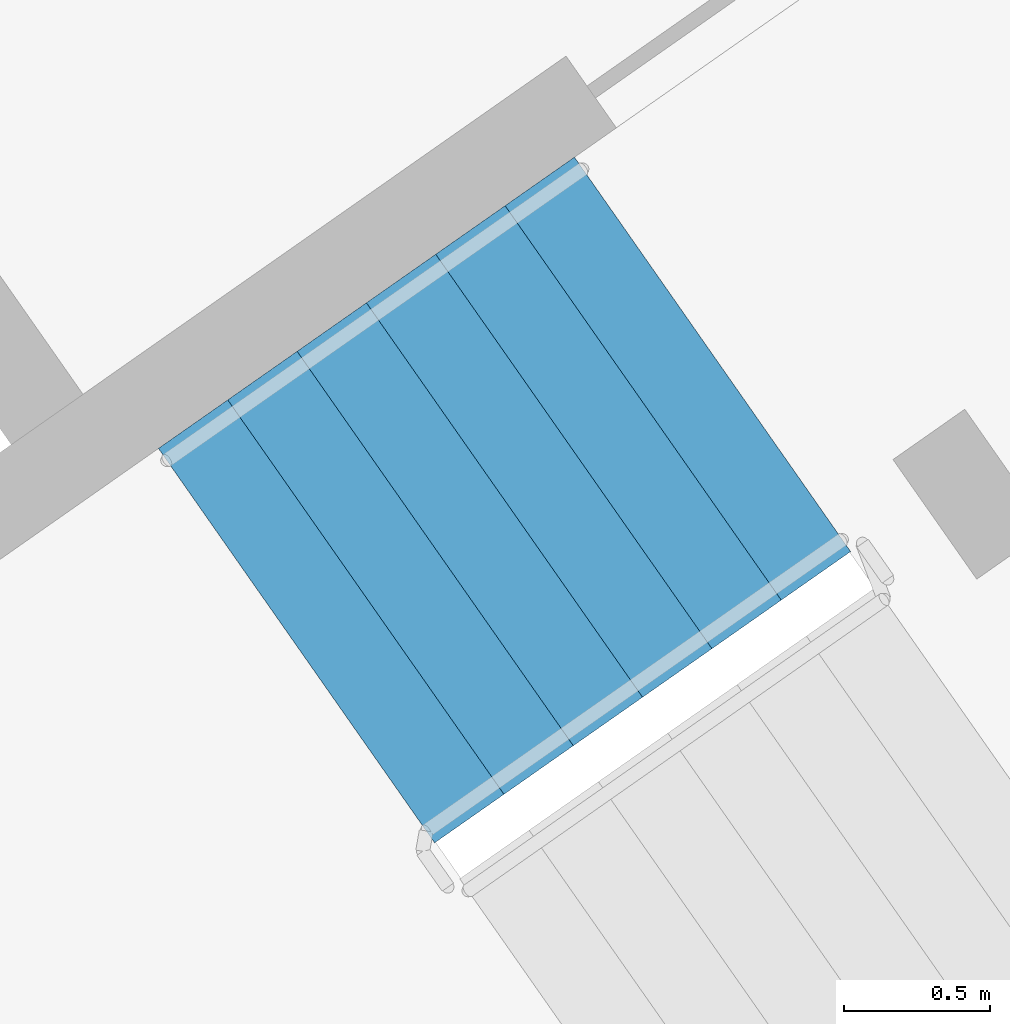
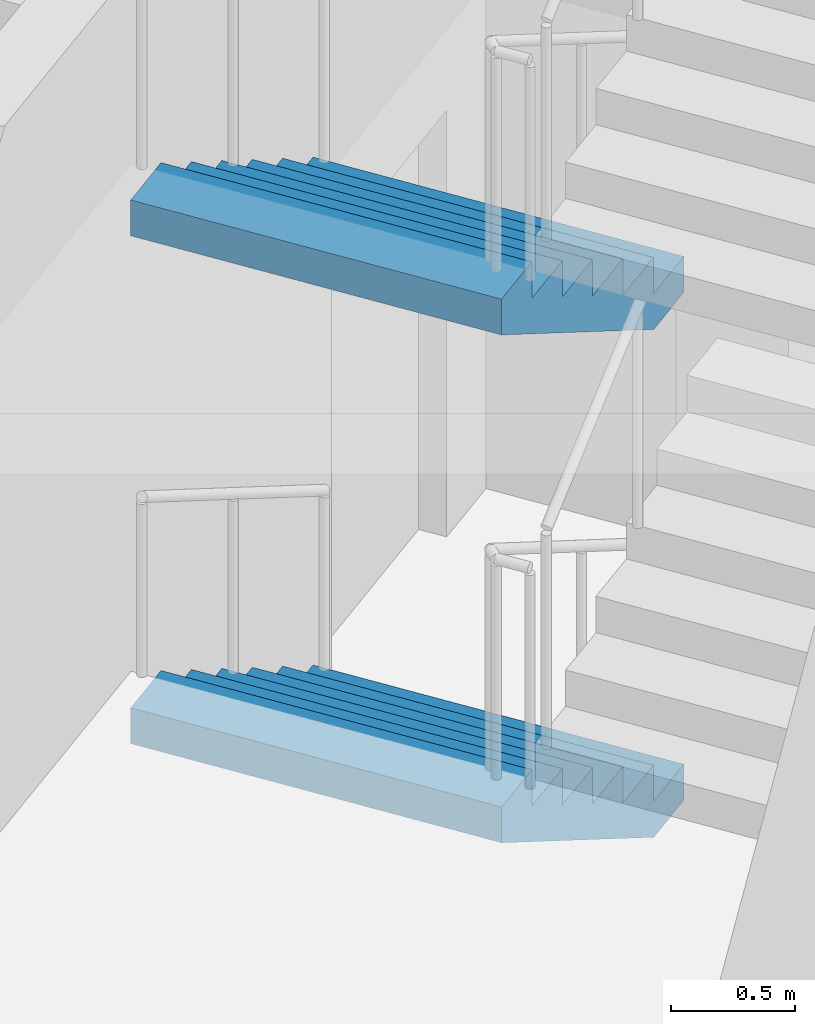
# One storey, part 20 of 24: 2 stair flights, 1 element without a shape of its own.
"""IFC4 building model written with IfcOpenShell, lengths in metres."""

import ifcopenshell
import ifcopenshell.guid

model = None  # the IFC model being written
_history = None  # IfcOwnerHistory: only IFC2X3 demands one
_inside = {}  # id of a spatial element -> (the spatial element, [elements in it])
_under = {}  # id of a project, library or spatial element -> (it, [spatial elements below it])
_declared = {}  # id of a project -> (the project, [libraries it declares])
_typed = {}  # id of a type object -> (the type object, [elements of that type])
_made_of = {}  # id of a material, layer set ... -> (it, [elements and type objects made of it])


def new_model(schema):
    """Start an empty IFC model of exactly this schema.

    Asked for "IFC4X3", IfcOpenShell would pick the latest addendum, in which some entities
    have other attributes; the version numbers below select the first issue.
    IFC2X3 requires an IfcOwnerHistory on every rooted entity: one is made here for all.
    """
    global model, _history
    if schema == "IFC4X3":
        model = ifcopenshell.file(schema_version=(4, 3, 0, 0))
    else:
        model = ifcopenshell.file(schema=schema)
    _inside.clear()
    _under.clear()
    _declared.clear()
    _typed.clear()
    _made_of.clear()
    _history = None
    if model.schema == "IFC2X3":
        org = make("IfcOrganization", Name="unknown")
        user = make(
            "IfcPersonAndOrganization",
            ThePerson=make("IfcPerson", FamilyName="unknown"),
            TheOrganization=org,
        )
        app = make(
            "IfcApplication",
            ApplicationDeveloper=org,
            Version="unknown",
            ApplicationFullName="unknown",
            ApplicationIdentifier="unknown",
        )
        _history = make(
            "IfcOwnerHistory",
            OwningUser=user,
            OwningApplication=app,
            ChangeAction="ADDED",
            CreationDate=0,
        )
    return model


def make(cls, **values):
    """One entity of the class cls with the attributes given. An attribute that is None is left unset."""
    return model.create_entity(
        cls, **{name: value for name, value in values.items() if value is not None}
    )


def rooted(cls, **values):
    """An entity with a GlobalId (a new one), such as an element, a storey or a relation."""
    return make(cls, GlobalId=ifcopenshell.guid.new(), OwnerHistory=_history, **values)


def si_unit(unit_type, name, prefix=None):
    """IfcSIUnit, for example si_unit("LENGTHUNIT", "METRE", prefix="MILLI")."""
    return make("IfcSIUnit", UnitType=unit_type, Prefix=prefix, Name=name)


def assignment(units):
    """IfcUnitAssignment: the units of a project."""
    return None if units is None else make("IfcUnitAssignment", Units=units)


def point(xyz):
    """IfcCartesianPoint."""
    return None if xyz is None else make("IfcCartesianPoint", Coordinates=xyz)


def direction(xyz):
    """IfcDirection."""
    return None if xyz is None else make("IfcDirection", DirectionRatios=xyz)


def frame(location, z_axis=None, x_axis=None):
    """IfcAxis2Placement3D, a coordinate frame: its origin and axes. An axis left out is left unset."""
    return make(
        "IfcAxis2Placement3D",
        Location=point(location),
        Axis=direction(z_axis),
        RefDirection=direction(x_axis),
    )


def origin():
    """The frame at (0, 0, 0) with its axes left unset."""
    return frame((0.0, 0.0, 0.0))


def place(relative_to, where):
    """IfcLocalPlacement: puts the frame where relative to a parent placement (None: the world)."""
    return make(
        "IfcLocalPlacement", PlacementRelTo=relative_to, RelativePlacement=where
    )


def context(
    kind, dimensions, precision=None, world=None, true_north=None, identifier=None
):
    """IfcGeometricRepresentationContext, for example the 3D "Model" context."""
    return make(
        "IfcGeometricRepresentationContext",
        ContextIdentifier=identifier,
        ContextType=kind,
        CoordinateSpaceDimension=dimensions,
        Precision=precision,
        WorldCoordinateSystem=world,
        TrueNorth=true_north,
    )


def subcontext(parent, identifier, kind, view, scale=None):
    """IfcGeometricRepresentationSubContext, for example "Body" below "Model"."""
    return make(
        "IfcGeometricRepresentationSubContext",
        ContextIdentifier=identifier,
        ContextType=kind,
        ParentContext=parent,
        TargetScale=scale,
        TargetView=view,
    )


def project(units=None, contexts=None):
    """IfcProject with its units and contexts."""
    return rooted(
        "IfcProject",
        Name="project",
        RepresentationContexts=contexts,
        UnitsInContext=assignment(units),
    )


def spatial(cls, under=None, at=None, **own):
    """A site, building, storey or space (cls), placed at a placement, below another one or the project."""
    s = rooted(cls, ObjectPlacement=at, **own)
    if under is not None:
        _under.setdefault(under.id(), (under, []))[1].append(s)
    return s


def faces_of(points, faces, orient=None, outer=None):
    """IfcFace entities. A face is a list of loops; a loop is a list of indices into points, from 0.

    orient and outer hold one flag for each loop. By default every Orientation is true, the
    first loop of a face is its IfcFaceOuterBound and the others are IfcFaceBound.
    """
    made = []
    for i, loops in enumerate(faces):
        bounds = []
        for j, loop in enumerate(loops):
            is_outer = j == 0 if outer is None else outer[i][j]
            bounds.append(
                make(
                    "IfcFaceOuterBound" if is_outer else "IfcFaceBound",
                    Bound=make("IfcPolyLoop", Polygon=[points[k] for k in loop]),
                    Orientation=True if orient is None else orient[i][j],
                )
            )
        made.append(make("IfcFace", Bounds=bounds))
    return made


def faceted_brep(points, faces, orient=None, outer=None, voids=None):
    """IfcFacetedBrep: a solid bounded by flat faces; with voids (closed shells), ...WithVoids."""
    shared = [point(p) for p in points]
    hull = make("IfcClosedShell", CfsFaces=faces_of(shared, faces, orient, outer))
    if voids is None:
        return make("IfcFacetedBrep", Outer=hull)
    return make(
        "IfcFacetedBrepWithVoids",
        Outer=hull,
        Voids=[
            make(cls, CfsFaces=faces_of(shared, fs, o, b)) for cls, fs, o, b in voids
        ],
    )


def shape(context_of_items, identifier, shape_type, items):
    """IfcShapeRepresentation: the items that make up one representation, for example the "Body"."""
    return make(
        "IfcShapeRepresentation",
        ContextOfItems=context_of_items,
        RepresentationIdentifier=identifier,
        RepresentationType=shape_type,
        Items=items,
    )


def material(Name=None, Category=None):
    """IfcMaterial."""
    return make("IfcMaterial", Name=Name, Category=Category)


def made_of(thing, what):
    """Note that an element or type object is made of a material, layer set ...; save() writes the relation."""
    if what is not None:
        _made_of.setdefault(what.id(), (what, []))[1].append(thing)
    return thing


def type_object(cls, material=None, **own):
    """A type object (cls), such as IfcWallType, which elements share."""
    return made_of(rooted(cls, **own), material)


def element(
    cls,
    number,
    at=None,
    inside=None,
    cuts=None,
    type_object=None,
    material=None,
    context=None,
    identifier="Body",
    shape_type=None,
    held_by="IfcProductDefinitionShape",
    body=None,
    shapes=None,
    **own,
):
    """One element of the class cls, such as IfcWall. Its Tag is "e" and its number.

    at: its placement. inside: the storey or other place that contains it. cuts: it is an
    opening in that element (IfcRelVoidsElement). A single representation is given by context,
    identifier, shape_type and body (its items); several are given by shapes. held_by: the class
    of the entity that holds the representations. save() writes the other relations.
    """
    e = rooted(cls, Tag="e%d" % number, ObjectPlacement=at, **own)
    if body is not None:
        shapes = [shape(context, identifier, shape_type, body)]
    if shapes is not None:
        e.Representation = make(held_by, Representations=shapes)
    if inside is not None:
        _inside.setdefault(inside.id(), (inside, []))[1].append(e)
    if cuts is not None:
        rooted(
            "IfcRelVoidsElement", RelatingBuildingElement=cuts, RelatedOpeningElement=e
        )
    if type_object is not None:
        _typed.setdefault(type_object.id(), (type_object, []))[1].append(e)
    return made_of(e, material)


def aggregate(whole, parts):
    """IfcRelAggregates: a whole, such as a stair, and the parts it consists of."""
    return rooted("IfcRelAggregates", RelatingObject=whole, RelatedObjects=parts)


def save(model, path):
    """Write the relations noted so far, then the file.

    IfcRelAggregates (storeys below a building ...), IfcRelContainedInSpatialStructure (elements
    in a storey), IfcRelDefinesByType, IfcRelAssociatesMaterial and IfcRelDeclares: one each for
    every whole, place, type object, material and project.
    """
    for whole, parts in _under.values():
        aggregate(whole, parts)
    for where, things in _inside.values():
        rooted(
            "IfcRelContainedInSpatialStructure",
            RelatedElements=things,
            RelatingStructure=where,
        )
    for kind, things in _typed.values():
        rooted("IfcRelDefinesByType", RelatedObjects=things, RelatingType=kind)
    for what, things in _made_of.values():
        rooted("IfcRelAssociatesMaterial", RelatedObjects=things, RelatingMaterial=what)
    for by, libraries in _declared.values():
        rooted("IfcRelDeclares", RelatingContext=by, RelatedDefinitions=libraries)
    model.write(path)


model = new_model("IFC4")

# Units and contexts
model_context = context("Model", 3, precision=1e-05, world=origin(), true_north=direction((0.0, 1.0)))
body_context = subcontext(model_context, "Body", "Model", "MODEL_VIEW")
ifc_project = project(units=[si_unit("LENGTHUNIT", "METRE"), si_unit("AREAUNIT", "SQUARE_METRE"), si_unit("VOLUMEUNIT", "CUBIC_METRE"), si_unit("PLANEANGLEUNIT", "RADIAN"), si_unit("MASSUNIT", "GRAM", prefix="KILO")], contexts=[model_context])

# Site, building, storey
site_placement = place(None, origin())
site = spatial("IfcSite", under=ifc_project, at=site_placement, CompositionType="ELEMENT")
building_placement = place(site_placement, origin())
building = spatial("IfcBuilding", under=site, at=building_placement, Name="Qamariyya Broadcast Tower", CompositionType="ELEMENT")
storey_placement = place(building_placement, frame((0.0, 0.0, 253.10009765625)))
storey = spatial("IfcBuildingStorey", under=building, at=storey_placement, Name="L61", CompositionType="ELEMENT", Elevation=253.10009765625)

# Stair, stair flights
ifc_material = material(Name="Concrete C50/60", Category="concrete")
stair_type = type_object("IfcStairType", Name="Exit stair 28 risers of 179 mm", PredefinedType="HALF_TURN_STAIR", material=ifc_material)
stair_placement = place(storey_placement, origin())
stair = element("IfcStair", 1, at=stair_placement, inside=storey, type_object=stair_type, Name="L61 Stair E1", PredefinedType="HALF_TURN_STAIR")
stair_flight_type = type_object("IfcStairFlightType", Name="Exit stair flight 7 risers of 179 mm", PredefinedType="STRAIGHT", material=ifc_material)
stair_flight_1_placement = place(storey_placement, frame((46.036376953125, -55.508056640625, 0.0), z_axis=(0.0, 0.0, 1.0), x_axis=(-0.819152044289, -0.573576436351, 0.0)))
stair_flight_1 = element("IfcStairFlight", 2, at=stair_flight_1_placement, type_object=stair_flight_type, Name="ST-E1 flight 1", NumberOfRisers=7, NumberOfTreads=6, PredefinedType="STRAIGHT", RiserHeight=0.178571429, TreadLength=0.29, context=body_context, shape_type="Brep", body=[
    faceted_brep([(0.0, 0.824951171875, 0.0), (0.0, 0.824951171875, 0.178466796875), (0.2900390625, 0.824951171875, 0.178466796875), (0.2900390625, 0.824951171875, 0.357177734375), (0.580078125, 0.824951171875, 0.357177734375), (0.580078125, 0.824951171875, 0.53564453125), (0.8701171875, 0.824951171875, 0.53564453125), (0.8701171875, 0.824951171875, 0.71435546875), (1.159912109375, 0.824951171875, 0.71435546875), (1.159912109375, 0.824951171875, 0.892822265625), (1.449951171875, 0.824951171875, 0.892822265625), (1.449951171875, 0.824951171875, 1.071533203125), (1.739990234375, 0.824951171875, 1.071533203125), (1.739990234375, 0.824951171875, 0.8955078125), (0.285888671875, 0.824951171875, 0.0), (0.285888671875, -0.824951171875, 0.0), (1.739990234375, -0.824951171875, 0.8955078125), (1.739990234375, -0.824951171875, 1.071533203125), (1.449951171875, -0.824951171875, 1.071533203125), (1.449951171875, -0.824951171875, 0.892822265625), (1.159912109375, -0.824951171875, 0.892822265625), (1.159912109375, -0.824951171875, 0.71435546875), (0.8701171875, -0.824951171875, 0.71435546875), (0.8701171875, -0.824951171875, 0.53564453125), (0.580078125, -0.824951171875, 0.53564453125), (0.580078125, -0.824951171875, 0.357177734375), (0.2900390625, -0.824951171875, 0.357177734375), (0.2900390625, -0.824951171875, 0.178466796875), (0.0, -0.824951171875, 0.178466796875), (0.0, -0.824951171875, 0.0), (0.0, 0.10009765625, 0.0), (0.0, 0.086669921875, 0.0), (0.0, 0.0732421875, 0.0), (0.0, 0.06005859375, 0.0), (0.0, 0.046630859375, 0.0), (0.0, 0.033447265625, 0.0), (0.0, 0.02001953125, 0.0), (0.0, 0.006591796875, 0.0), (0.0, -0.006591796875, 0.0), (0.0, -0.02001953125, 0.0), (0.0, -0.033447265625, 0.0), (0.0, -0.046630859375, 0.0), (0.0, -0.06005859375, 0.0), (0.0, -0.0732421875, 0.0), (0.0, -0.086669921875, 0.0), (0.0, -0.10009765625, 0.0), (0.0, -0.10009765625, 0.178466796875), (0.0, -0.086669921875, 0.178466796875), (0.0, -0.0732421875, 0.178466796875), (0.0, -0.06005859375, 0.178466796875), (0.0, -0.046630859375, 0.178466796875), (0.0, -0.033447265625, 0.178466796875), (0.0, -0.02001953125, 0.178466796875), (0.0, -0.006591796875, 0.178466796875), (0.0, 0.006591796875, 0.178466796875), (0.0, 0.02001953125, 0.178466796875), (0.0, 0.033447265625, 0.178466796875), (0.0, 0.046630859375, 0.178466796875), (0.0, 0.06005859375, 0.178466796875), (0.0, 0.0732421875, 0.178466796875), (0.0, 0.086669921875, 0.178466796875), (0.0, 0.10009765625, 0.178466796875), (0.2900390625, -0.10009765625, 0.178466796875), (0.2900390625, -0.086669921875, 0.178466796875), (0.2900390625, -0.0732421875, 0.178466796875), (0.2900390625, -0.06005859375, 0.178466796875), (0.2900390625, -0.046630859375, 0.178466796875), (0.2900390625, -0.033447265625, 0.178466796875), (0.2900390625, -0.02001953125, 0.178466796875), (0.2900390625, -0.006591796875, 0.178466796875), (0.2900390625, 0.006591796875, 0.178466796875), (0.2900390625, 0.02001953125, 0.178466796875), (0.2900390625, 0.033447265625, 0.178466796875), (0.2900390625, 0.046630859375, 0.178466796875), (0.2900390625, 0.06005859375, 0.178466796875), (0.2900390625, 0.0732421875, 0.178466796875), (0.2900390625, 0.086669921875, 0.178466796875), (0.2900390625, 0.10009765625, 0.178466796875), (0.2900390625, -0.10009765625, 0.357177734375), (0.2900390625, -0.086669921875, 0.357177734375), (0.2900390625, -0.0732421875, 0.357177734375), (0.2900390625, -0.06005859375, 0.357177734375), (0.2900390625, -0.046630859375, 0.357177734375), (0.2900390625, -0.033447265625, 0.357177734375), (0.2900390625, -0.02001953125, 0.357177734375), (0.2900390625, -0.006591796875, 0.357177734375), (0.2900390625, 0.006591796875, 0.357177734375), (0.2900390625, 0.02001953125, 0.357177734375), (0.2900390625, 0.033447265625, 0.357177734375), (0.2900390625, 0.046630859375, 0.357177734375), (0.2900390625, 0.06005859375, 0.357177734375), (0.2900390625, 0.0732421875, 0.357177734375), (0.2900390625, 0.086669921875, 0.357177734375), (0.2900390625, 0.10009765625, 0.357177734375), (0.580078125, -0.10009765625, 0.357177734375), (0.580078125, -0.086669921875, 0.357177734375), (0.580078125, -0.0732421875, 0.357177734375), (0.580078125, -0.06005859375, 0.357177734375), (0.580078125, -0.046630859375, 0.357177734375), (0.580078125, -0.033447265625, 0.357177734375), (0.580078125, -0.02001953125, 0.357177734375), (0.580078125, -0.006591796875, 0.357177734375), (0.580078125, 0.006591796875, 0.357177734375), (0.580078125, 0.02001953125, 0.357177734375), (0.580078125, 0.033447265625, 0.357177734375), (0.580078125, 0.046630859375, 0.357177734375), (0.580078125, 0.06005859375, 0.357177734375), (0.580078125, 0.0732421875, 0.357177734375), (0.580078125, 0.086669921875, 0.357177734375), (0.580078125, 0.10009765625, 0.357177734375), (0.580078125, -0.10009765625, 0.53564453125), (0.580078125, -0.086669921875, 0.53564453125), (0.580078125, -0.0732421875, 0.53564453125), (0.580078125, -0.06005859375, 0.53564453125), (0.580078125, -0.046630859375, 0.53564453125), (0.580078125, -0.033447265625, 0.53564453125), (0.580078125, -0.02001953125, 0.53564453125), (0.580078125, -0.006591796875, 0.53564453125), (0.580078125, 0.006591796875, 0.53564453125), (0.580078125, 0.02001953125, 0.53564453125), (0.580078125, 0.033447265625, 0.53564453125), (0.580078125, 0.046630859375, 0.53564453125), (0.580078125, 0.06005859375, 0.53564453125), (0.580078125, 0.0732421875, 0.53564453125), (0.580078125, 0.086669921875, 0.53564453125), (0.580078125, 0.10009765625, 0.53564453125), (0.8701171875, -0.10009765625, 0.53564453125), (0.8701171875, -0.086669921875, 0.53564453125), (0.8701171875, -0.0732421875, 0.53564453125), (0.8701171875, -0.06005859375, 0.53564453125), (0.8701171875, -0.046630859375, 0.53564453125), (0.8701171875, -0.033447265625, 0.53564453125), (0.8701171875, -0.02001953125, 0.53564453125), (0.8701171875, -0.006591796875, 0.53564453125), (0.8701171875, 0.006591796875, 0.53564453125), (0.8701171875, 0.02001953125, 0.53564453125), (0.8701171875, 0.033447265625, 0.53564453125), (0.8701171875, 0.046630859375, 0.53564453125), (0.8701171875, 0.06005859375, 0.53564453125), (0.8701171875, 0.0732421875, 0.53564453125), (0.8701171875, 0.086669921875, 0.53564453125), (0.8701171875, 0.10009765625, 0.53564453125), (0.8701171875, -0.10009765625, 0.71435546875), (0.8701171875, -0.086669921875, 0.71435546875), (0.8701171875, -0.0732421875, 0.71435546875), (0.8701171875, -0.06005859375, 0.71435546875), (0.8701171875, -0.046630859375, 0.71435546875), (0.8701171875, -0.033447265625, 0.71435546875), (0.8701171875, -0.02001953125, 0.71435546875), (0.8701171875, -0.006591796875, 0.71435546875), (0.8701171875, 0.006591796875, 0.71435546875), (0.8701171875, 0.02001953125, 0.71435546875), (0.8701171875, 0.033447265625, 0.71435546875), (0.8701171875, 0.046630859375, 0.71435546875), (0.8701171875, 0.06005859375, 0.71435546875), (0.8701171875, 0.0732421875, 0.71435546875), (0.8701171875, 0.086669921875, 0.71435546875), (0.8701171875, 0.10009765625, 0.71435546875), (1.159912109375, -0.10009765625, 0.71435546875), (1.159912109375, -0.086669921875, 0.71435546875), (1.159912109375, -0.0732421875, 0.71435546875), (1.159912109375, -0.06005859375, 0.71435546875), (1.159912109375, -0.046630859375, 0.71435546875), (1.159912109375, -0.033447265625, 0.71435546875), (1.159912109375, -0.02001953125, 0.71435546875), (1.159912109375, -0.006591796875, 0.71435546875), (1.159912109375, 0.006591796875, 0.71435546875), (1.159912109375, 0.02001953125, 0.71435546875), (1.159912109375, 0.033447265625, 0.71435546875), (1.159912109375, 0.046630859375, 0.71435546875), (1.159912109375, 0.06005859375, 0.71435546875), (1.159912109375, 0.0732421875, 0.71435546875), (1.159912109375, 0.086669921875, 0.71435546875), (1.159912109375, 0.10009765625, 0.71435546875), (1.159912109375, -0.10009765625, 0.892822265625), (1.159912109375, -0.086669921875, 0.892822265625), (1.159912109375, -0.0732421875, 0.892822265625), (1.159912109375, -0.06005859375, 0.892822265625), (1.159912109375, -0.046630859375, 0.892822265625), (1.159912109375, -0.033447265625, 0.892822265625), (1.159912109375, -0.02001953125, 0.892822265625), (1.159912109375, -0.006591796875, 0.892822265625), (1.159912109375, 0.006591796875, 0.892822265625), (1.159912109375, 0.02001953125, 0.892822265625), (1.159912109375, 0.033447265625, 0.892822265625), (1.159912109375, 0.046630859375, 0.892822265625), (1.159912109375, 0.06005859375, 0.892822265625), (1.159912109375, 0.0732421875, 0.892822265625), (1.159912109375, 0.086669921875, 0.892822265625), (1.159912109375, 0.10009765625, 0.892822265625), (1.449951171875, -0.10009765625, 0.892822265625), (1.449951171875, -0.086669921875, 0.892822265625), (1.449951171875, -0.0732421875, 0.892822265625), (1.449951171875, -0.06005859375, 0.892822265625), (1.449951171875, -0.046630859375, 0.892822265625), (1.449951171875, -0.033447265625, 0.892822265625), (1.449951171875, -0.02001953125, 0.892822265625), (1.449951171875, -0.006591796875, 0.892822265625), (1.449951171875, 0.006591796875, 0.892822265625), (1.449951171875, 0.02001953125, 0.892822265625), (1.449951171875, 0.033447265625, 0.892822265625), (1.449951171875, 0.046630859375, 0.892822265625), (1.449951171875, 0.06005859375, 0.892822265625), (1.449951171875, 0.0732421875, 0.892822265625), (1.449951171875, 0.086669921875, 0.892822265625), (1.449951171875, 0.10009765625, 0.892822265625), (1.449951171875, -0.10009765625, 1.071533203125), (1.449951171875, -0.086669921875, 1.071533203125), (1.449951171875, -0.0732421875, 1.071533203125), (1.449951171875, -0.06005859375, 1.071533203125), (1.449951171875, -0.046630859375, 1.071533203125), (1.449951171875, -0.033447265625, 1.071533203125), (1.449951171875, -0.02001953125, 1.071533203125), (1.449951171875, -0.006591796875, 1.071533203125), (1.449951171875, 0.006591796875, 1.071533203125), (1.449951171875, 0.02001953125, 1.071533203125), (1.449951171875, 0.033447265625, 1.071533203125), (1.449951171875, 0.046630859375, 1.071533203125), (1.449951171875, 0.06005859375, 1.071533203125), (1.449951171875, 0.0732421875, 1.071533203125), (1.449951171875, 0.086669921875, 1.071533203125), (1.449951171875, 0.10009765625, 1.071533203125), (1.739990234375, -0.10009765625, 1.071533203125), (1.739990234375, -0.086669921875, 1.071533203125), (1.739990234375, -0.0732421875, 1.071533203125), (1.739990234375, -0.06005859375, 1.071533203125), (1.739990234375, -0.046630859375, 1.071533203125), (1.739990234375, -0.033447265625, 1.071533203125), (1.739990234375, -0.02001953125, 1.071533203125), (1.739990234375, -0.006591796875, 1.071533203125), (1.739990234375, 0.006591796875, 1.071533203125), (1.739990234375, 0.02001953125, 1.071533203125), (1.739990234375, 0.033447265625, 1.071533203125), (1.739990234375, 0.046630859375, 1.071533203125), (1.739990234375, 0.06005859375, 1.071533203125), (1.739990234375, 0.0732421875, 1.071533203125), (1.739990234375, 0.086669921875, 1.071533203125), (1.739990234375, 0.10009765625, 1.071533203125), (1.739990234375, -0.10009765625, 0.8955078125), (1.739990234375, -0.086669921875, 0.8955078125), (1.739990234375, -0.0732421875, 0.8955078125), (1.739990234375, -0.06005859375, 0.8955078125), (1.739990234375, -0.046630859375, 0.8955078125), (1.739990234375, -0.033447265625, 0.8955078125), (1.739990234375, -0.02001953125, 0.8955078125), (1.739990234375, -0.006591796875, 0.8955078125), (1.739990234375, 0.006591796875, 0.8955078125), (1.739990234375, 0.02001953125, 0.8955078125), (1.739990234375, 0.033447265625, 0.8955078125), (1.739990234375, 0.046630859375, 0.8955078125), (1.739990234375, 0.06005859375, 0.8955078125), (1.739990234375, 0.0732421875, 0.8955078125), (1.739990234375, 0.086669921875, 0.8955078125), (1.739990234375, 0.10009765625, 0.8955078125), (0.285888671875, -0.10009765625, 0.0), (0.285888671875, -0.086669921875, 0.0), (0.285888671875, -0.0732421875, 0.0), (0.285888671875, -0.06005859375, 0.0), (0.285888671875, -0.046630859375, 0.0), (0.285888671875, -0.033447265625, 0.0), (0.285888671875, -0.02001953125, 0.0), (0.285888671875, -0.006591796875, 0.0), (0.285888671875, 0.006591796875, 0.0), (0.285888671875, 0.02001953125, 0.0), (0.285888671875, 0.033447265625, 0.0), (0.285888671875, 0.046630859375, 0.0), (0.285888671875, 0.06005859375, 0.0), (0.285888671875, 0.0732421875, 0.0), (0.285888671875, 0.086669921875, 0.0), (0.285888671875, 0.10009765625, 0.0)], [[[0, 1, 2, 3, 4, 5, 6, 7, 8, 9, 10, 11, 12, 13, 14]], [[15, 16, 17, 18, 19, 20, 21, 22, 23, 24, 25, 26, 27, 28, 29]], [[0, 30, 31, 32, 33, 34, 35, 36, 37, 38, 39, 40, 41, 42, 43, 44, 45, 29, 28, 46, 47, 48, 49, 50, 51, 52, 53, 54, 55, 56, 57, 58, 59, 60, 61, 1]], [[1, 61, 60, 59, 58, 57, 56, 55, 54, 53, 52, 51, 50, 49, 48, 47, 46, 28, 27, 62, 63, 64, 65, 66, 67, 68, 69, 70, 71, 72, 73, 74, 75, 76, 77, 2]], [[2, 77, 76, 75, 74, 73, 72, 71, 70, 69, 68, 67, 66, 65, 64, 63, 62, 27, 26, 78, 79, 80, 81, 82, 83, 84, 85, 86, 87, 88, 89, 90, 91, 92, 93, 3]], [[3, 93, 92, 91, 90, 89, 88, 87, 86, 85, 84, 83, 82, 81, 80, 79, 78, 26, 25, 94, 95, 96, 97, 98, 99, 100, 101, 102, 103, 104, 105, 106, 107, 108, 109, 4]], [[4, 109, 108, 107, 106, 105, 104, 103, 102, 101, 100, 99, 98, 97, 96, 95, 94, 25, 24, 110, 111, 112, 113, 114, 115, 116, 117, 118, 119, 120, 121, 122, 123, 124, 125, 5]], [[5, 125, 124, 123, 122, 121, 120, 119, 118, 117, 116, 115, 114, 113, 112, 111, 110, 24, 23, 126, 127, 128, 129, 130, 131, 132, 133, 134, 135, 136, 137, 138, 139, 140, 141, 6]], [[6, 141, 140, 139, 138, 137, 136, 135, 134, 133, 132, 131, 130, 129, 128, 127, 126, 23, 22, 142, 143, 144, 145, 146, 147, 148, 149, 150, 151, 152, 153, 154, 155, 156, 157, 7]], [[7, 157, 156, 155, 154, 153, 152, 151, 150, 149, 148, 147, 146, 145, 144, 143, 142, 22, 21, 158, 159, 160, 161, 162, 163, 164, 165, 166, 167, 168, 169, 170, 171, 172, 173, 8]], [[8, 173, 172, 171, 170, 169, 168, 167, 166, 165, 164, 163, 162, 161, 160, 159, 158, 21, 20, 174, 175, 176, 177, 178, 179, 180, 181, 182, 183, 184, 185, 186, 187, 188, 189, 9]], [[9, 189, 188, 187, 186, 185, 184, 183, 182, 181, 180, 179, 178, 177, 176, 175, 174, 20, 19, 190, 191, 192, 193, 194, 195, 196, 197, 198, 199, 200, 201, 202, 203, 204, 205, 10]], [[10, 205, 204, 203, 202, 201, 200, 199, 198, 197, 196, 195, 194, 193, 192, 191, 190, 19, 18, 206, 207, 208, 209, 210, 211, 212, 213, 214, 215, 216, 217, 218, 219, 220, 221, 11]], [[11, 221, 220, 219, 218, 217, 216, 215, 214, 213, 212, 211, 210, 209, 208, 207, 206, 18, 17, 222, 223, 224, 225, 226, 227, 228, 229, 230, 231, 232, 233, 234, 235, 236, 237, 12]], [[12, 237, 236, 235, 234, 233, 232, 231, 230, 229, 228, 227, 226, 225, 224, 223, 222, 17, 16, 238, 239, 240, 241, 242, 243, 244, 245, 246, 247, 248, 249, 250, 251, 252, 253, 13]], [[13, 253, 252, 251, 250, 249, 248, 247, 246, 245, 244, 243, 242, 241, 240, 239, 238, 16, 15, 254, 255, 256, 257, 258, 259, 260, 261, 262, 263, 264, 265, 266, 267, 268, 269, 14]], [[14, 269, 268, 267, 266, 265, 264, 263, 262, 261, 260, 259, 258, 257, 256, 255, 254, 15, 29, 45, 44, 43, 42, 41, 40, 39, 38, 37, 36, 35, 34, 33, 32, 31, 30, 0]]]),
])
stair_flight_2_placement = place(storey_placement, frame((46.036376953125, -55.508056640625, 2.5), z_axis=(0.0, 0.0, 1.0), x_axis=(-0.819152044289, -0.573576436351, 0.0)))
stair_flight_2 = element("IfcStairFlight", 3, at=stair_flight_2_placement, type_object=stair_flight_type, Name="ST-E1 flight 3", NumberOfRisers=7, NumberOfTreads=6, PredefinedType="STRAIGHT", RiserHeight=0.178571429, TreadLength=0.29, context=body_context, shape_type="Brep", body=[
    faceted_brep([(0.0, 0.824951171875, 0.0), (0.0, 0.824951171875, 0.178466796875), (0.2900390625, 0.824951171875, 0.178466796875), (0.2900390625, 0.824951171875, 0.357177734375), (0.580078125, 0.824951171875, 0.357177734375), (0.580078125, 0.824951171875, 0.53564453125), (0.8701171875, 0.824951171875, 0.53564453125), (0.8701171875, 0.824951171875, 0.71435546875), (1.159912109375, 0.824951171875, 0.71435546875), (1.159912109375, 0.824951171875, 0.892822265625), (1.449951171875, 0.824951171875, 0.892822265625), (1.449951171875, 0.824951171875, 1.071533203125), (1.739990234375, 0.824951171875, 1.071533203125), (1.739990234375, 0.824951171875, 0.8955078125), (0.285888671875, 0.824951171875, 0.0), (0.285888671875, -0.824951171875, 0.0), (1.739990234375, -0.824951171875, 0.8955078125), (1.739990234375, -0.824951171875, 1.071533203125), (1.449951171875, -0.824951171875, 1.071533203125), (1.449951171875, -0.824951171875, 0.892822265625), (1.159912109375, -0.824951171875, 0.892822265625), (1.159912109375, -0.824951171875, 0.71435546875), (0.8701171875, -0.824951171875, 0.71435546875), (0.8701171875, -0.824951171875, 0.53564453125), (0.580078125, -0.824951171875, 0.53564453125), (0.580078125, -0.824951171875, 0.357177734375), (0.2900390625, -0.824951171875, 0.357177734375), (0.2900390625, -0.824951171875, 0.178466796875), (0.0, -0.824951171875, 0.178466796875), (0.0, -0.824951171875, 0.0), (0.0, 0.10009765625, 0.0), (0.0, 0.086669921875, 0.0), (0.0, 0.0732421875, 0.0), (0.0, 0.06005859375, 0.0), (0.0, 0.046630859375, 0.0), (0.0, 0.033447265625, 0.0), (0.0, 0.02001953125, 0.0), (0.0, 0.006591796875, 0.0), (0.0, -0.006591796875, 0.0), (0.0, -0.02001953125, 0.0), (0.0, -0.033447265625, 0.0), (0.0, -0.046630859375, 0.0), (0.0, -0.06005859375, 0.0), (0.0, -0.0732421875, 0.0), (0.0, -0.086669921875, 0.0), (0.0, -0.10009765625, 0.0), (0.0, -0.10009765625, 0.178466796875), (0.0, -0.086669921875, 0.178466796875), (0.0, -0.0732421875, 0.178466796875), (0.0, -0.06005859375, 0.178466796875), (0.0, -0.046630859375, 0.178466796875), (0.0, -0.033447265625, 0.178466796875), (0.0, -0.02001953125, 0.178466796875), (0.0, -0.006591796875, 0.178466796875), (0.0, 0.006591796875, 0.178466796875), (0.0, 0.02001953125, 0.178466796875), (0.0, 0.033447265625, 0.178466796875), (0.0, 0.046630859375, 0.178466796875), (0.0, 0.06005859375, 0.178466796875), (0.0, 0.0732421875, 0.178466796875), (0.0, 0.086669921875, 0.178466796875), (0.0, 0.10009765625, 0.178466796875), (0.2900390625, -0.10009765625, 0.178466796875), (0.2900390625, -0.086669921875, 0.178466796875), (0.2900390625, -0.0732421875, 0.178466796875), (0.2900390625, -0.06005859375, 0.178466796875), (0.2900390625, -0.046630859375, 0.178466796875), (0.2900390625, -0.033447265625, 0.178466796875), (0.2900390625, -0.02001953125, 0.178466796875), (0.2900390625, -0.006591796875, 0.178466796875), (0.2900390625, 0.006591796875, 0.178466796875), (0.2900390625, 0.02001953125, 0.178466796875), (0.2900390625, 0.033447265625, 0.178466796875), (0.2900390625, 0.046630859375, 0.178466796875), (0.2900390625, 0.06005859375, 0.178466796875), (0.2900390625, 0.0732421875, 0.178466796875), (0.2900390625, 0.086669921875, 0.178466796875), (0.2900390625, 0.10009765625, 0.178466796875), (0.2900390625, -0.10009765625, 0.357177734375), (0.2900390625, -0.086669921875, 0.357177734375), (0.2900390625, -0.0732421875, 0.357177734375), (0.2900390625, -0.06005859375, 0.357177734375), (0.2900390625, -0.046630859375, 0.357177734375), (0.2900390625, -0.033447265625, 0.357177734375), (0.2900390625, -0.02001953125, 0.357177734375), (0.2900390625, -0.006591796875, 0.357177734375), (0.2900390625, 0.006591796875, 0.357177734375), (0.2900390625, 0.02001953125, 0.357177734375), (0.2900390625, 0.033447265625, 0.357177734375), (0.2900390625, 0.046630859375, 0.357177734375), (0.2900390625, 0.06005859375, 0.357177734375), (0.2900390625, 0.0732421875, 0.357177734375), (0.2900390625, 0.086669921875, 0.357177734375), (0.2900390625, 0.10009765625, 0.357177734375), (0.580078125, -0.10009765625, 0.357177734375), (0.580078125, -0.086669921875, 0.357177734375), (0.580078125, -0.0732421875, 0.357177734375), (0.580078125, -0.06005859375, 0.357177734375), (0.580078125, -0.046630859375, 0.357177734375), (0.580078125, -0.033447265625, 0.357177734375), (0.580078125, -0.02001953125, 0.357177734375), (0.580078125, -0.006591796875, 0.357177734375), (0.580078125, 0.006591796875, 0.357177734375), (0.580078125, 0.02001953125, 0.357177734375), (0.580078125, 0.033447265625, 0.357177734375), (0.580078125, 0.046630859375, 0.357177734375), (0.580078125, 0.06005859375, 0.357177734375), (0.580078125, 0.0732421875, 0.357177734375), (0.580078125, 0.086669921875, 0.357177734375), (0.580078125, 0.10009765625, 0.357177734375), (0.580078125, -0.10009765625, 0.53564453125), (0.580078125, -0.086669921875, 0.53564453125), (0.580078125, -0.0732421875, 0.53564453125), (0.580078125, -0.06005859375, 0.53564453125), (0.580078125, -0.046630859375, 0.53564453125), (0.580078125, -0.033447265625, 0.53564453125), (0.580078125, -0.02001953125, 0.53564453125), (0.580078125, -0.006591796875, 0.53564453125), (0.580078125, 0.006591796875, 0.53564453125), (0.580078125, 0.02001953125, 0.53564453125), (0.580078125, 0.033447265625, 0.53564453125), (0.580078125, 0.046630859375, 0.53564453125), (0.580078125, 0.06005859375, 0.53564453125), (0.580078125, 0.0732421875, 0.53564453125), (0.580078125, 0.086669921875, 0.53564453125), (0.580078125, 0.10009765625, 0.53564453125), (0.8701171875, -0.10009765625, 0.53564453125), (0.8701171875, -0.086669921875, 0.53564453125), (0.8701171875, -0.0732421875, 0.53564453125), (0.8701171875, -0.06005859375, 0.53564453125), (0.8701171875, -0.046630859375, 0.53564453125), (0.8701171875, -0.033447265625, 0.53564453125), (0.8701171875, -0.02001953125, 0.53564453125), (0.8701171875, -0.006591796875, 0.53564453125), (0.8701171875, 0.006591796875, 0.53564453125), (0.8701171875, 0.02001953125, 0.53564453125), (0.8701171875, 0.033447265625, 0.53564453125), (0.8701171875, 0.046630859375, 0.53564453125), (0.8701171875, 0.06005859375, 0.53564453125), (0.8701171875, 0.0732421875, 0.53564453125), (0.8701171875, 0.086669921875, 0.53564453125), (0.8701171875, 0.10009765625, 0.53564453125), (0.8701171875, -0.10009765625, 0.71435546875), (0.8701171875, -0.086669921875, 0.71435546875), (0.8701171875, -0.0732421875, 0.71435546875), (0.8701171875, -0.06005859375, 0.71435546875), (0.8701171875, -0.046630859375, 0.71435546875), (0.8701171875, -0.033447265625, 0.71435546875), (0.8701171875, -0.02001953125, 0.71435546875), (0.8701171875, -0.006591796875, 0.71435546875), (0.8701171875, 0.006591796875, 0.71435546875), (0.8701171875, 0.02001953125, 0.71435546875), (0.8701171875, 0.033447265625, 0.71435546875), (0.8701171875, 0.046630859375, 0.71435546875), (0.8701171875, 0.06005859375, 0.71435546875), (0.8701171875, 0.0732421875, 0.71435546875), (0.8701171875, 0.086669921875, 0.71435546875), (0.8701171875, 0.10009765625, 0.71435546875), (1.159912109375, -0.10009765625, 0.71435546875), (1.159912109375, -0.086669921875, 0.71435546875), (1.159912109375, -0.0732421875, 0.71435546875), (1.159912109375, -0.06005859375, 0.71435546875), (1.159912109375, -0.046630859375, 0.71435546875), (1.159912109375, -0.033447265625, 0.71435546875), (1.159912109375, -0.02001953125, 0.71435546875), (1.159912109375, -0.006591796875, 0.71435546875), (1.159912109375, 0.006591796875, 0.71435546875), (1.159912109375, 0.02001953125, 0.71435546875), (1.159912109375, 0.033447265625, 0.71435546875), (1.159912109375, 0.046630859375, 0.71435546875), (1.159912109375, 0.06005859375, 0.71435546875), (1.159912109375, 0.0732421875, 0.71435546875), (1.159912109375, 0.086669921875, 0.71435546875), (1.159912109375, 0.10009765625, 0.71435546875), (1.159912109375, -0.10009765625, 0.892822265625), (1.159912109375, -0.086669921875, 0.892822265625), (1.159912109375, -0.0732421875, 0.892822265625), (1.159912109375, -0.06005859375, 0.892822265625), (1.159912109375, -0.046630859375, 0.892822265625), (1.159912109375, -0.033447265625, 0.892822265625), (1.159912109375, -0.02001953125, 0.892822265625), (1.159912109375, -0.006591796875, 0.892822265625), (1.159912109375, 0.006591796875, 0.892822265625), (1.159912109375, 0.02001953125, 0.892822265625), (1.159912109375, 0.033447265625, 0.892822265625), (1.159912109375, 0.046630859375, 0.892822265625), (1.159912109375, 0.06005859375, 0.892822265625), (1.159912109375, 0.0732421875, 0.892822265625), (1.159912109375, 0.086669921875, 0.892822265625), (1.159912109375, 0.10009765625, 0.892822265625), (1.449951171875, -0.10009765625, 0.892822265625), (1.449951171875, -0.086669921875, 0.892822265625), (1.449951171875, -0.0732421875, 0.892822265625), (1.449951171875, -0.06005859375, 0.892822265625), (1.449951171875, -0.046630859375, 0.892822265625), (1.449951171875, -0.033447265625, 0.892822265625), (1.449951171875, -0.02001953125, 0.892822265625), (1.449951171875, -0.006591796875, 0.892822265625), (1.449951171875, 0.006591796875, 0.892822265625), (1.449951171875, 0.02001953125, 0.892822265625), (1.449951171875, 0.033447265625, 0.892822265625), (1.449951171875, 0.046630859375, 0.892822265625), (1.449951171875, 0.06005859375, 0.892822265625), (1.449951171875, 0.0732421875, 0.892822265625), (1.449951171875, 0.086669921875, 0.892822265625), (1.449951171875, 0.10009765625, 0.892822265625), (1.449951171875, -0.10009765625, 1.071533203125), (1.449951171875, -0.086669921875, 1.071533203125), (1.449951171875, -0.0732421875, 1.071533203125), (1.449951171875, -0.06005859375, 1.071533203125), (1.449951171875, -0.046630859375, 1.071533203125), (1.449951171875, -0.033447265625, 1.071533203125), (1.449951171875, -0.02001953125, 1.071533203125), (1.449951171875, -0.006591796875, 1.071533203125), (1.449951171875, 0.006591796875, 1.071533203125), (1.449951171875, 0.02001953125, 1.071533203125), (1.449951171875, 0.033447265625, 1.071533203125), (1.449951171875, 0.046630859375, 1.071533203125), (1.449951171875, 0.06005859375, 1.071533203125), (1.449951171875, 0.0732421875, 1.071533203125), (1.449951171875, 0.086669921875, 1.071533203125), (1.449951171875, 0.10009765625, 1.071533203125), (1.739990234375, -0.10009765625, 1.071533203125), (1.739990234375, -0.086669921875, 1.071533203125), (1.739990234375, -0.0732421875, 1.071533203125), (1.739990234375, -0.06005859375, 1.071533203125), (1.739990234375, -0.046630859375, 1.071533203125), (1.739990234375, -0.033447265625, 1.071533203125), (1.739990234375, -0.02001953125, 1.071533203125), (1.739990234375, -0.006591796875, 1.071533203125), (1.739990234375, 0.006591796875, 1.071533203125), (1.739990234375, 0.02001953125, 1.071533203125), (1.739990234375, 0.033447265625, 1.071533203125), (1.739990234375, 0.046630859375, 1.071533203125), (1.739990234375, 0.06005859375, 1.071533203125), (1.739990234375, 0.0732421875, 1.071533203125), (1.739990234375, 0.086669921875, 1.071533203125), (1.739990234375, 0.10009765625, 1.071533203125), (1.739990234375, -0.10009765625, 0.8955078125), (1.739990234375, -0.086669921875, 0.8955078125), (1.739990234375, -0.0732421875, 0.8955078125), (1.739990234375, -0.06005859375, 0.8955078125), (1.739990234375, -0.046630859375, 0.8955078125), (1.739990234375, -0.033447265625, 0.8955078125), (1.739990234375, -0.02001953125, 0.8955078125), (1.739990234375, -0.006591796875, 0.8955078125), (1.739990234375, 0.006591796875, 0.8955078125), (1.739990234375, 0.02001953125, 0.8955078125), (1.739990234375, 0.033447265625, 0.8955078125), (1.739990234375, 0.046630859375, 0.8955078125), (1.739990234375, 0.06005859375, 0.8955078125), (1.739990234375, 0.0732421875, 0.8955078125), (1.739990234375, 0.086669921875, 0.8955078125), (1.739990234375, 0.10009765625, 0.8955078125), (0.285888671875, -0.10009765625, 0.0), (0.285888671875, -0.086669921875, 0.0), (0.285888671875, -0.0732421875, 0.0), (0.285888671875, -0.06005859375, 0.0), (0.285888671875, -0.046630859375, 0.0), (0.285888671875, -0.033447265625, 0.0), (0.285888671875, -0.02001953125, 0.0), (0.285888671875, -0.006591796875, 0.0), (0.285888671875, 0.006591796875, 0.0), (0.285888671875, 0.02001953125, 0.0), (0.285888671875, 0.033447265625, 0.0), (0.285888671875, 0.046630859375, 0.0), (0.285888671875, 0.06005859375, 0.0), (0.285888671875, 0.0732421875, 0.0), (0.285888671875, 0.086669921875, 0.0), (0.285888671875, 0.10009765625, 0.0)], [[[0, 1, 2, 3, 4, 5, 6, 7, 8, 9, 10, 11, 12, 13, 14]], [[15, 16, 17, 18, 19, 20, 21, 22, 23, 24, 25, 26, 27, 28, 29]], [[0, 30, 31, 32, 33, 34, 35, 36, 37, 38, 39, 40, 41, 42, 43, 44, 45, 29, 28, 46, 47, 48, 49, 50, 51, 52, 53, 54, 55, 56, 57, 58, 59, 60, 61, 1]], [[1, 61, 60, 59, 58, 57, 56, 55, 54, 53, 52, 51, 50, 49, 48, 47, 46, 28, 27, 62, 63, 64, 65, 66, 67, 68, 69, 70, 71, 72, 73, 74, 75, 76, 77, 2]], [[2, 77, 76, 75, 74, 73, 72, 71, 70, 69, 68, 67, 66, 65, 64, 63, 62, 27, 26, 78, 79, 80, 81, 82, 83, 84, 85, 86, 87, 88, 89, 90, 91, 92, 93, 3]], [[3, 93, 92, 91, 90, 89, 88, 87, 86, 85, 84, 83, 82, 81, 80, 79, 78, 26, 25, 94, 95, 96, 97, 98, 99, 100, 101, 102, 103, 104, 105, 106, 107, 108, 109, 4]], [[4, 109, 108, 107, 106, 105, 104, 103, 102, 101, 100, 99, 98, 97, 96, 95, 94, 25, 24, 110, 111, 112, 113, 114, 115, 116, 117, 118, 119, 120, 121, 122, 123, 124, 125, 5]], [[5, 125, 124, 123, 122, 121, 120, 119, 118, 117, 116, 115, 114, 113, 112, 111, 110, 24, 23, 126, 127, 128, 129, 130, 131, 132, 133, 134, 135, 136, 137, 138, 139, 140, 141, 6]], [[6, 141, 140, 139, 138, 137, 136, 135, 134, 133, 132, 131, 130, 129, 128, 127, 126, 23, 22, 142, 143, 144, 145, 146, 147, 148, 149, 150, 151, 152, 153, 154, 155, 156, 157, 7]], [[7, 157, 156, 155, 154, 153, 152, 151, 150, 149, 148, 147, 146, 145, 144, 143, 142, 22, 21, 158, 159, 160, 161, 162, 163, 164, 165, 166, 167, 168, 169, 170, 171, 172, 173, 8]], [[8, 173, 172, 171, 170, 169, 168, 167, 166, 165, 164, 163, 162, 161, 160, 159, 158, 21, 20, 174, 175, 176, 177, 178, 179, 180, 181, 182, 183, 184, 185, 186, 187, 188, 189, 9]], [[9, 189, 188, 187, 186, 185, 184, 183, 182, 181, 180, 179, 178, 177, 176, 175, 174, 20, 19, 190, 191, 192, 193, 194, 195, 196, 197, 198, 199, 200, 201, 202, 203, 204, 205, 10]], [[10, 205, 204, 203, 202, 201, 200, 199, 198, 197, 196, 195, 194, 193, 192, 191, 190, 19, 18, 206, 207, 208, 209, 210, 211, 212, 213, 214, 215, 216, 217, 218, 219, 220, 221, 11]], [[11, 221, 220, 219, 218, 217, 216, 215, 214, 213, 212, 211, 210, 209, 208, 207, 206, 18, 17, 222, 223, 224, 225, 226, 227, 228, 229, 230, 231, 232, 233, 234, 235, 236, 237, 12]], [[12, 237, 236, 235, 234, 233, 232, 231, 230, 229, 228, 227, 226, 225, 224, 223, 222, 17, 16, 238, 239, 240, 241, 242, 243, 244, 245, 246, 247, 248, 249, 250, 251, 252, 253, 13]], [[13, 253, 252, 251, 250, 249, 248, 247, 246, 245, 244, 243, 242, 241, 240, 239, 238, 16, 15, 254, 255, 256, 257, 258, 259, 260, 261, 262, 263, 264, 265, 266, 267, 268, 269, 14]], [[14, 269, 268, 267, 266, 265, 264, 263, 262, 261, 260, 259, 258, 257, 256, 255, 254, 15, 29, 45, 44, 43, 42, 41, 40, 39, 38, 37, 36, 35, 34, 33, 32, 31, 30, 0]]]),
])
aggregate(stair, [stair_flight_1, stair_flight_2])

save(model, "model.ifc")
